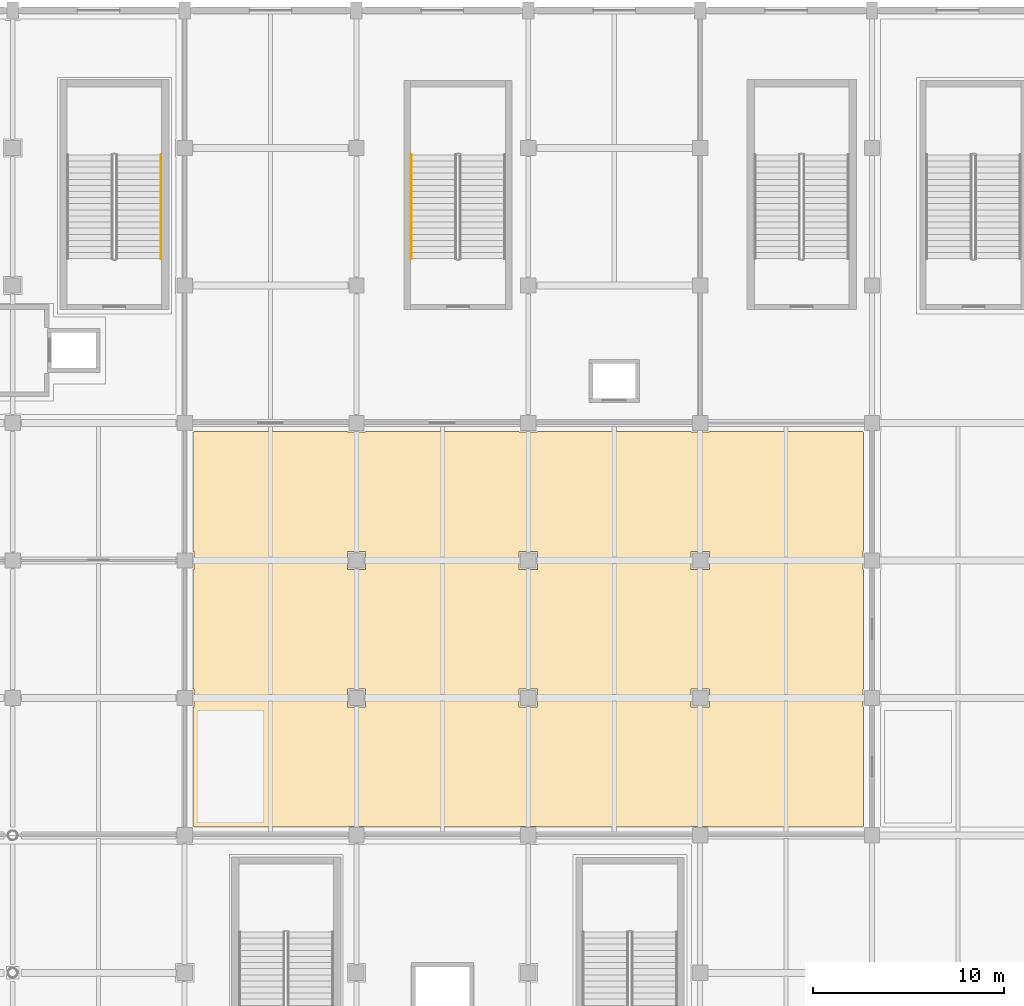
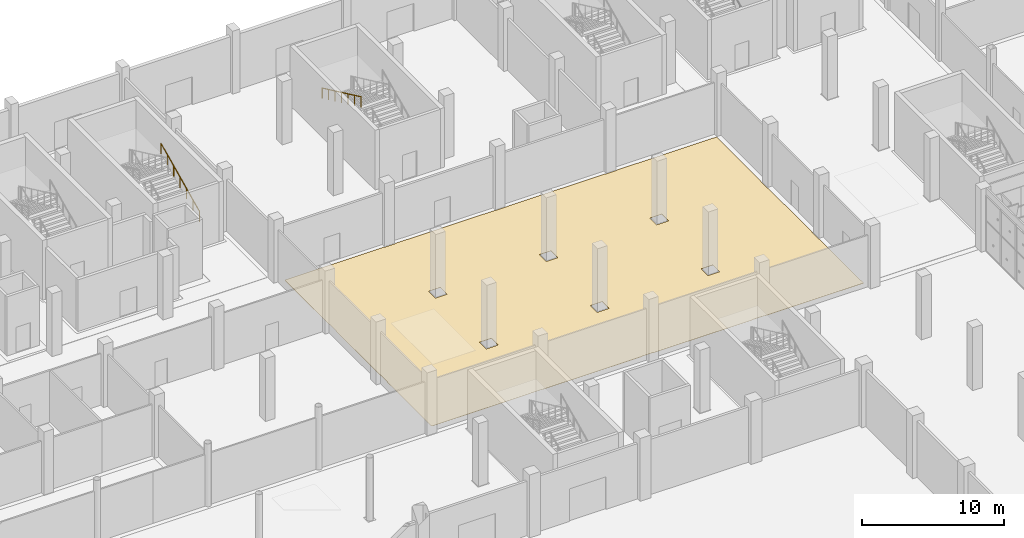
# One storey, part 131 of 137: 2 railings, 1 covering.
"""IFC4 building model written with IfcOpenShell, lengths in metres."""

import ifcopenshell
import ifcopenshell.guid

model = None  # the IFC model being written
_history = None  # IfcOwnerHistory: only IFC2X3 demands one
_inside = {}  # id of a spatial element -> (the spatial element, [elements in it])
_under = {}  # id of a project, library or spatial element -> (it, [spatial elements below it])
_declared = {}  # id of a project -> (the project, [libraries it declares])
_typed = {}  # id of a type object -> (the type object, [elements of that type])
_made_of = {}  # id of a material, layer set ... -> (it, [elements and type objects made of it])


def new_model(schema):
    """Start an empty IFC model of exactly this schema.

    Asked for "IFC4X3", IfcOpenShell would pick the latest addendum, in which some entities
    have other attributes; the version numbers below select the first issue.
    IFC2X3 requires an IfcOwnerHistory on every rooted entity: one is made here for all.
    """
    global model, _history
    if schema == "IFC4X3":
        model = ifcopenshell.file(schema_version=(4, 3, 0, 0))
    else:
        model = ifcopenshell.file(schema=schema)
    _inside.clear()
    _under.clear()
    _declared.clear()
    _typed.clear()
    _made_of.clear()
    _history = None
    if model.schema == "IFC2X3":
        org = make("IfcOrganization", Name="unknown")
        user = make(
            "IfcPersonAndOrganization",
            ThePerson=make("IfcPerson", FamilyName="unknown"),
            TheOrganization=org,
        )
        app = make(
            "IfcApplication",
            ApplicationDeveloper=org,
            Version="unknown",
            ApplicationFullName="unknown",
            ApplicationIdentifier="unknown",
        )
        _history = make(
            "IfcOwnerHistory",
            OwningUser=user,
            OwningApplication=app,
            ChangeAction="ADDED",
            CreationDate=0,
        )
    return model


def make(cls, **values):
    """One entity of the class cls with the attributes given. An attribute that is None is left unset."""
    return model.create_entity(
        cls, **{name: value for name, value in values.items() if value is not None}
    )


def rooted(cls, **values):
    """An entity with a GlobalId (a new one), such as an element, a storey or a relation."""
    return make(cls, GlobalId=ifcopenshell.guid.new(), OwnerHistory=_history, **values)


def si_unit(unit_type, name, prefix=None):
    """IfcSIUnit, for example si_unit("LENGTHUNIT", "METRE", prefix="MILLI")."""
    return make("IfcSIUnit", UnitType=unit_type, Prefix=prefix, Name=name)


def assignment(units):
    """IfcUnitAssignment: the units of a project."""
    return None if units is None else make("IfcUnitAssignment", Units=units)


def point(xyz):
    """IfcCartesianPoint."""
    return None if xyz is None else make("IfcCartesianPoint", Coordinates=xyz)


def direction(xyz):
    """IfcDirection."""
    return None if xyz is None else make("IfcDirection", DirectionRatios=xyz)


def frame(location, z_axis=None, x_axis=None):
    """IfcAxis2Placement3D, a coordinate frame: its origin and axes. An axis left out is left unset."""
    return make(
        "IfcAxis2Placement3D",
        Location=point(location),
        Axis=direction(z_axis),
        RefDirection=direction(x_axis),
    )


def frame_2d(location, x_axis=None):
    """IfcAxis2Placement2D, a coordinate frame in the plane: its origin and x axis."""
    return make(
        "IfcAxis2Placement2D", Location=point(location), RefDirection=direction(x_axis)
    )


def origin():
    """The frame at (0, 0, 0) with its axes left unset."""
    return frame((0.0, 0.0, 0.0))


def origin_2d():
    """The frame at (0, 0) in the plane with its x axis left unset."""
    return frame_2d((0.0, 0.0))


def place(relative_to, where):
    """IfcLocalPlacement: puts the frame where relative to a parent placement (None: the world)."""
    return make(
        "IfcLocalPlacement", PlacementRelTo=relative_to, RelativePlacement=where
    )


def context(
    kind, dimensions, precision=None, world=None, true_north=None, identifier=None
):
    """IfcGeometricRepresentationContext, for example the 3D "Model" context."""
    return make(
        "IfcGeometricRepresentationContext",
        ContextIdentifier=identifier,
        ContextType=kind,
        CoordinateSpaceDimension=dimensions,
        Precision=precision,
        WorldCoordinateSystem=world,
        TrueNorth=true_north,
    )


def subcontext(parent, identifier, kind, view, scale=None):
    """IfcGeometricRepresentationSubContext, for example "Body" below "Model"."""
    return make(
        "IfcGeometricRepresentationSubContext",
        ContextIdentifier=identifier,
        ContextType=kind,
        ParentContext=parent,
        TargetScale=scale,
        TargetView=view,
    )


def project(units=None, contexts=None):
    """IfcProject with its units and contexts."""
    return rooted(
        "IfcProject",
        Name="project",
        RepresentationContexts=contexts,
        UnitsInContext=assignment(units),
    )


def spatial(cls, under=None, at=None, **own):
    """A site, building, storey or space (cls), placed at a placement, below another one or the project."""
    s = rooted(cls, ObjectPlacement=at, **own)
    if under is not None:
        _under.setdefault(under.id(), (under, []))[1].append(s)
    return s


def polyline(points):
    """IfcPolyline through the points."""
    return make("IfcPolyline", Points=[point(p) for p in points])


def profile(cls, at=None, kind="AREA", **sizes):
    """A parametric profile (cls). Its sizes go by their IFC names, for example OverallWidth=200.0."""
    return make(cls, ProfileType=kind, Position=at, **sizes)


def circle(**sizes):
    """IfcCircleProfileDef."""
    return profile("IfcCircleProfileDef", **sizes)


def outline(outer, holes=None, kind="AREA"):
    """IfcArbitraryClosedProfileDef: a profile drawn as a closed curve; with holes, ...WithVoids."""
    if holes is None:
        return make("IfcArbitraryClosedProfileDef", ProfileType=kind, OuterCurve=outer)
    return make(
        "IfcArbitraryProfileDefWithVoids",
        ProfileType=kind,
        OuterCurve=outer,
        InnerCurves=holes,
    )


def extrude(swept, where, along, depth):
    """IfcExtrudedAreaSolid: the profile swept, set in the frame where, extruded along a direction by depth."""
    return make(
        "IfcExtrudedAreaSolid",
        SweptArea=swept,
        Position=where,
        ExtrudedDirection=direction(along),
        Depth=depth,
    )


def shape(context_of_items, identifier, shape_type, items):
    """IfcShapeRepresentation: the items that make up one representation, for example the "Body"."""
    return make(
        "IfcShapeRepresentation",
        ContextOfItems=context_of_items,
        RepresentationIdentifier=identifier,
        RepresentationType=shape_type,
        Items=items,
    )


def material(Name=None, Category=None):
    """IfcMaterial."""
    return make("IfcMaterial", Name=Name, Category=Category)


def layer(
    of_material, thickness, ventilated=None, Name=None, Category=None, Priority=None
):
    """IfcMaterialLayer: one layer of a wall or slab, of a material (None: an air gap)."""
    return make(
        "IfcMaterialLayer",
        Material=of_material,
        LayerThickness=thickness,
        IsVentilated=ventilated,
        Name=Name,
        Category=Category,
        Priority=Priority,
    )


def layer_set(layers, Name=None):
    """IfcMaterialLayerSet."""
    return make("IfcMaterialLayerSet", MaterialLayers=layers, LayerSetName=Name)


def made_of(thing, what):
    """Note that an element or type object is made of a material, layer set ...; save() writes the relation."""
    if what is not None:
        _made_of.setdefault(what.id(), (what, []))[1].append(thing)
    return thing


def type_object(cls, material=None, **own):
    """A type object (cls), such as IfcWallType, which elements share."""
    return made_of(rooted(cls, **own), material)


def element(
    cls,
    number,
    at=None,
    inside=None,
    cuts=None,
    type_object=None,
    material=None,
    context=None,
    identifier="Body",
    shape_type=None,
    held_by="IfcProductDefinitionShape",
    body=None,
    shapes=None,
    **own,
):
    """One element of the class cls, such as IfcWall. Its Tag is "e" and its number.

    at: its placement. inside: the storey or other place that contains it. cuts: it is an
    opening in that element (IfcRelVoidsElement). A single representation is given by context,
    identifier, shape_type and body (its items); several are given by shapes. held_by: the class
    of the entity that holds the representations. save() writes the other relations.
    """
    e = rooted(cls, Tag="e%d" % number, ObjectPlacement=at, **own)
    if body is not None:
        shapes = [shape(context, identifier, shape_type, body)]
    if shapes is not None:
        e.Representation = make(held_by, Representations=shapes)
    if inside is not None:
        _inside.setdefault(inside.id(), (inside, []))[1].append(e)
    if cuts is not None:
        rooted(
            "IfcRelVoidsElement", RelatingBuildingElement=cuts, RelatedOpeningElement=e
        )
    if type_object is not None:
        _typed.setdefault(type_object.id(), (type_object, []))[1].append(e)
    return made_of(e, material)


def aggregate(whole, parts):
    """IfcRelAggregates: a whole, such as a stair, and the parts it consists of."""
    return rooted("IfcRelAggregates", RelatingObject=whole, RelatedObjects=parts)


def save(model, path):
    """Write the relations noted so far, then the file.

    IfcRelAggregates (storeys below a building ...), IfcRelContainedInSpatialStructure (elements
    in a storey), IfcRelDefinesByType, IfcRelAssociatesMaterial and IfcRelDeclares: one each for
    every whole, place, type object, material and project.
    """
    for whole, parts in _under.values():
        aggregate(whole, parts)
    for where, things in _inside.values():
        rooted(
            "IfcRelContainedInSpatialStructure",
            RelatedElements=things,
            RelatingStructure=where,
        )
    for kind, things in _typed.values():
        rooted("IfcRelDefinesByType", RelatedObjects=things, RelatingType=kind)
    for what, things in _made_of.values():
        rooted("IfcRelAssociatesMaterial", RelatedObjects=things, RelatingMaterial=what)
    for by, libraries in _declared.values():
        rooted("IfcRelDeclares", RelatingContext=by, RelatedDefinitions=libraries)
    model.write(path)


model = new_model("IFC4")

# Units and contexts
model_context = context("Model", 3, precision=1e-05, world=origin(), true_north=direction((0.0, 1.0)))
body_context = subcontext(model_context, "Body", "Model", "MODEL_VIEW")
ifc_project = project(units=[si_unit("LENGTHUNIT", "METRE"), si_unit("AREAUNIT", "SQUARE_METRE"), si_unit("VOLUMEUNIT", "CUBIC_METRE"), si_unit("PLANEANGLEUNIT", "RADIAN"), si_unit("MASSUNIT", "GRAM", prefix="KILO")], contexts=[model_context])

# Site, building, storey
site_placement = place(None, origin())
site = spatial("IfcSite", under=ifc_project, at=site_placement, CompositionType="ELEMENT")
building_placement = place(site_placement, origin())
building = spatial("IfcBuilding", under=site, at=building_placement, Name="Celestram Park Convention Centre", CompositionType="ELEMENT")
storey_placement = place(building_placement, origin())
storey = spatial("IfcBuildingStorey", under=building, at=storey_placement, Name="L00", CompositionType="ELEMENT", Elevation=0.0)

# Covering
ifc_material_1 = material(Name="Polished Lakefront Aggregate Terrazzo Flooring", Category="concrete")
ifc_layer_1 = layer(ifc_material_1, 0.02001953125)
ifc_layer_set_1 = layer_set([ifc_layer_1], Name="Polished Lakefront Aggregate Terrazzo Flooring")
covering_type = type_object("IfcCoveringType", Name="ARC-COV-FLR020", PredefinedType="FLOORING", material=ifc_layer_set_1)
covering_placement = place(storey_placement, origin())
element("IfcCovering", 1, at=covering_placement, inside=storey, type_object=covering_type, Name="Parkfront Espresso & Cafe Hall terrazzo flooring", PredefinedType="FLOORING", context=body_context, shape_type="SweptSolid", body=[
    extrude(outline(polyline([(107.52197265625, 143.550048828125), (107.52197265625, 143.52197265625), (108.47802734375, 143.52197265625), (108.47802734375, 143.550048828125), (116.52197265625, 143.550048828125), (116.52197265625, 143.52197265625), (117.47802734375, 143.52197265625), (117.47802734375, 143.550048828125), (125.52197265625, 143.550048828125), (125.52197265625, 143.52197265625), (126.47802734375, 143.52197265625), (126.47802734375, 143.550048828125), (134.52197265625, 143.550048828125), (134.52197265625, 143.52197265625), (134.550048828125, 143.52197265625), (134.550048828125, 137.278076171875), (134.52197265625, 137.278076171875), (134.52197265625, 136.322021484375), (134.550048828125, 136.322021484375), (134.550048828125, 130.077880859375), (134.52197265625, 130.077880859375), (134.52197265625, 129.1220703125), (134.550048828125, 129.1220703125), (134.550048828125, 122.8779296875), (134.52197265625, 122.8779296875), (134.52197265625, 122.85009765625), (126.47802734375, 122.85009765625), (126.47802734375, 122.8779296875), (125.52197265625, 122.8779296875), (125.52197265625, 122.85009765625), (117.47802734375, 122.85009765625), (117.47802734375, 122.8779296875), (116.52197265625, 122.8779296875), (116.52197265625, 122.85009765625), (108.47802734375, 122.85009765625), (108.47802734375, 122.8779296875), (107.52197265625, 122.8779296875), (107.52197265625, 122.85009765625), (99.47802734375, 122.85009765625), (99.47802734375, 122.8779296875), (99.449951171875, 122.8779296875), (99.449951171875, 129.1220703125), (99.47802734375, 129.1220703125), (99.47802734375, 130.077880859375), (99.449951171875, 130.077880859375), (99.449951171875, 136.322021484375), (99.47802734375, 136.322021484375), (99.47802734375, 137.278076171875), (99.449951171875, 137.278076171875), (99.449951171875, 143.52197265625), (99.47802734375, 143.52197265625), (99.47802734375, 143.550048828125), (107.52197265625, 143.550048828125)]), holes=[polyline([(117.47802734375, 129.1220703125), (117.47802734375, 130.077880859375), (116.52197265625, 130.077880859375), (116.52197265625, 129.1220703125), (117.47802734375, 129.1220703125)]), polyline([(126.47802734375, 130.077880859375), (125.52197265625, 130.077880859375), (125.52197265625, 129.1220703125), (126.47802734375, 129.1220703125), (126.47802734375, 130.077880859375)]), polyline([(108.47802734375, 130.077880859375), (107.52197265625, 130.077880859375), (107.52197265625, 129.1220703125), (108.47802734375, 129.1220703125), (108.47802734375, 130.077880859375)]), polyline([(108.47802734375, 136.322021484375), (108.47802734375, 137.278076171875), (107.52197265625, 137.278076171875), (107.52197265625, 136.322021484375), (108.47802734375, 136.322021484375)]), polyline([(117.47802734375, 136.322021484375), (117.47802734375, 137.278076171875), (116.52197265625, 137.278076171875), (116.52197265625, 136.322021484375), (117.47802734375, 136.322021484375)]), polyline([(126.47802734375, 137.278076171875), (125.52197265625, 137.278076171875), (125.52197265625, 136.322021484375), (126.47802734375, 136.322021484375), (126.47802734375, 137.278076171875)])]), origin(), (0.0, 0.0, 1.0), 0.02001953125),
])

# Railings
ifc_material_2 = material(Name="Brushed Stainless Steel AISI 304", Category="steel")
ifc_layer_2 = layer(ifc_material_2, 0.048095703125)
ifc_layer_set_2 = layer_set([ifc_layer_2], Name="Brushed Stainless Steel AISI 304")
railing_type = type_object("IfcRailingType", Name="ARC-RL-HND915", PredefinedType="HANDRAIL", material=ifc_layer_set_2)
railing_1_placement = place(storey_placement, frame((110.8759765625, 158.0400390625, 2.85009765625)))
element("IfcRailing", 2, at=railing_1_placement, inside=storey, type_object=railing_type, Name="L00 ST-16 stair handrail 2", PredefinedType="HANDRAIL", context=body_context, shape_type="SweptSolid", body=[
    extrude(circle(Radius=0.02392578125, at=origin_2d()), frame((0.0, 0.0, 0.8759765625), z_axis=(0.0, -0.90546967238, 0.424410971113), x_axis=(1.0, 0.0, 0.0)), (0.0, 0.0, 1.0), 6.0078125),
    extrude(circle(Radius=0.02099609375, at=origin_2d()), origin(), (0.0, 0.0, 1.0), 0.851806640625),
    extrude(circle(Radius=0.02099609375, at=origin_2d()), frame((0.0, -0.90673828125, 0.425048828125)), (0.0, 0.0, 1.0), 0.851806640625),
    extrude(circle(Radius=0.02099609375, at=origin_2d()), frame((0.0, -1.813232421875, 0.849853515625)), (0.0, 0.0, 1.0), 0.851806640625),
    extrude(circle(Radius=0.02099609375, at=origin_2d()), frame((0.0, -2.719970703125, 1.27490234375)), (0.0, 0.0, 1.0), 0.851806640625),
    extrude(circle(Radius=0.02099609375, at=origin_2d()), frame((0.0, -3.626708984375, 1.699951171875)), (0.0, 0.0, 1.0), 0.851806640625),
    extrude(circle(Radius=0.02099609375, at=origin_2d()), frame((0.0, -4.533203125, 2.124755859375)), (0.0, 0.0, 1.0), 0.851806640625),
    extrude(circle(Radius=0.02099609375, at=origin_2d()), frame((0.0, -5.43994140625, 2.5498046875)), (0.0, 0.0, 1.0), 0.851806640625),
])
railing_2_placement = place(storey_placement, frame((97.763916015625, 152.60009765625, 0.14990234375)))
element("IfcRailing", 3, at=railing_2_placement, inside=storey, type_object=railing_type, Name="L00 ST-19 stair handrail 1", PredefinedType="HANDRAIL", context=body_context, shape_type="SweptSolid", body=[
    extrude(circle(Radius=0.02392578125, at=origin_2d()), frame((0.0, 0.0, 0.8759765625), z_axis=(0.0, 0.90545405566, 0.424444287379), x_axis=(-1.0, 0.0, 0.0)), (0.0, 0.0, 1.0), 6.008056640625),
    extrude(circle(Radius=0.02099609375, at=origin_2d()), origin(), (0.0, 0.0, 1.0), 0.851806640625),
    extrude(circle(Radius=0.02099609375, at=origin_2d()), frame((0.0, 0.90673828125, 0.425048828125)), (0.0, 0.0, 1.0), 0.851806640625),
    extrude(circle(Radius=0.02099609375, at=origin_2d()), frame((0.0, 1.813232421875, 0.85009765625)), (0.0, 0.0, 1.0), 0.851806640625),
    extrude(circle(Radius=0.02099609375, at=origin_2d()), frame((0.0, 2.719970703125, 1.27490234375)), (0.0, 0.0, 1.0), 0.851806640625),
    extrude(circle(Radius=0.02099609375, at=origin_2d()), frame((0.0, 3.626708984375, 1.699951171875)), (0.0, 0.0, 1.0), 0.851806640625),
    extrude(circle(Radius=0.02099609375, at=origin_2d()), frame((0.0, 4.533203125, 2.125)), (0.0, 0.0, 1.0), 0.851806640625),
    extrude(circle(Radius=0.02099609375, at=origin_2d()), frame((0.0, 5.43994140625, 2.550048828125)), (0.0, 0.0, 1.0), 0.851806640625),
])

save(model, "model.ifc")
